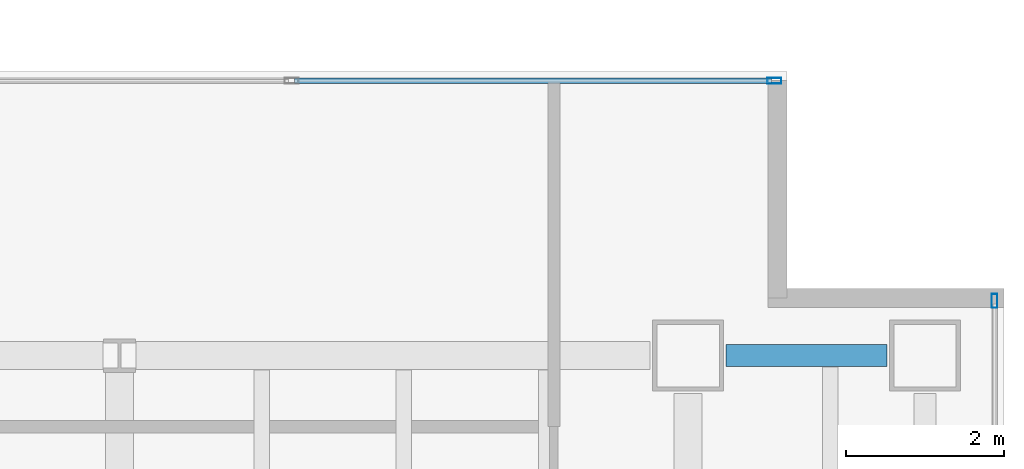
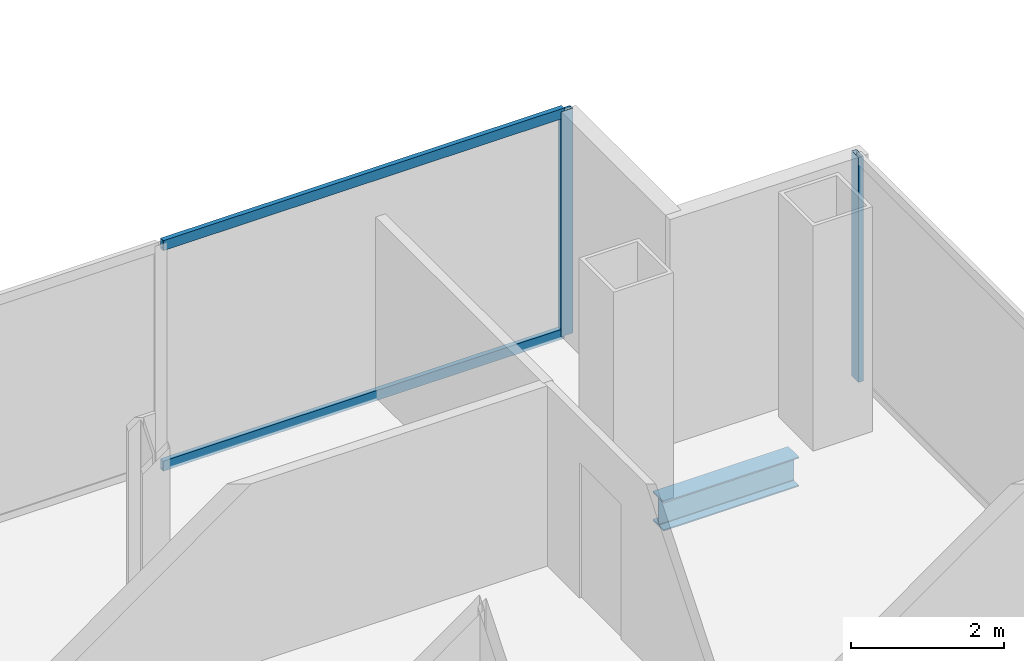
# One storey, part 15 of 23: 4 members, 1 beam, 2 elements without a shape of their own.
"""IFC4 building model written with IfcOpenShell, lengths in metres."""

from ifc_helpers import new_model, si_unit, direction, frame, origin, origin_2d, place, context, subcontext, project, spatial, hollow_rectangle, i_section, extrude, material, material_profile, profile_set, type_object, element, aggregate, save


model = new_model("IFC4")

# Units and contexts
model_context = context("Model", 3, precision=1e-05, world=origin(), true_north=direction((0.0, 1.0)))
body_context = subcontext(model_context, "Body", "Model", "MODEL_VIEW")
ifc_project = project(units=[si_unit("LENGTHUNIT", "METRE"), si_unit("AREAUNIT", "SQUARE_METRE"), si_unit("VOLUMEUNIT", "CUBIC_METRE"), si_unit("PLANEANGLEUNIT", "RADIAN"), si_unit("MASSUNIT", "GRAM", prefix="KILO")], contexts=[model_context])

# Site, building, storey
site_placement = place(None, origin())
site = spatial("IfcSite", under=ifc_project, at=site_placement, CompositionType="ELEMENT")
building_placement = place(site_placement, origin())
building = spatial("IfcBuilding", under=site, at=building_placement, Name="Cobrela Telecom Tower", CompositionType="ELEMENT")
storey_placement = place(building_placement, frame((0.0, 0.0, 117.60009765625)))
storey = spatial("IfcBuildingStorey", under=building, at=storey_placement, Name="L29", CompositionType="ELEMENT", Elevation=117.60009765625)

# Beam
ifc_material_1 = material(Name="Steel ASTM A992 Grade 50", Category="steel")
ifc_material_profile_1 = material_profile(ifc_material_1, i_section(OverallWidth=0.281982421875, OverallDepth=0.467041015625, WebThickness=0.01220703125, FlangeThickness=0.01953125, FilletRadius=0.012939453125, at=origin_2d()), Name="W18X86")
ifc_profile_set_1 = profile_set([ifc_material_profile_1], Name="Steel ASTM A992 Grade 50")
beam_type = type_object("IfcBeamType", Name="BM-SPAND-04", PredefinedType="SPANDREL", material=ifc_profile_set_1)
beam_placement = place(storey_placement, frame((43.679931640625, 21.60009765625, -0.503662109375), z_axis=(1.0, 0.0, 0.0), x_axis=(0.0, 1.0, 0.0)))
element("IfcBeam", 1, at=beam_placement, inside=storey, type_object=beam_type, Name="L29 Perimeter Spandrel X22", PredefinedType="SPANDREL", context=body_context, shape_type="SweptSolid", body=[
    extrude(i_section(OverallWidth=0.281982421875, OverallDepth=0.467041015625, WebThickness=0.01220703125, FlangeThickness=0.01953125, FilletRadius=0.012939453125, at=origin_2d()), origin(), (0.0, 0.0, 1.0), 2.0400390625),
])

# Curtain wall, member
ifc_material_2 = material(Name="Anodized Bronze Aluminium 6063-T6", Category="aluminium")
curtain_wall_type = type_object("IfcCurtainWallType", Name="CW-SYS-TEL", PredefinedType="USERDEFINED", material=ifc_material_2)
curtain_wall_1_placement = place(storey_placement, origin())
curtain_wall_1 = element("IfcCurtainWall", 2, at=curtain_wall_1_placement, inside=storey, type_object=curtain_wall_type, Name="L29 Unitised Bronze Curtain Wall 11", ObjectType="UNITISED CURTAIN WALL", PredefinedType="USERDEFINED")
ifc_material_profile_2 = material_profile(ifc_material_2, hollow_rectangle(XDim=0.074951171875, YDim=0.179931640625, WallThickness=0.00390625, at=origin_2d()), Name="ALU 75x180x4")
ifc_profile_set_2 = profile_set([ifc_material_profile_2], Name="Anodized Bronze Aluminium 6063-T6")
member_type_1 = type_object("IfcMemberType", Name="CW-SYS-TEL-MUL", PredefinedType="MULLION", material=ifc_profile_set_2)
member_1_placement = place(storey_placement, frame((44.29248046875, 25.080078125, 0.0), z_axis=(0.0, 0.0, 1.0), x_axis=(0.0, 1.0, 0.0)))
member_1 = element("IfcMember", 3, at=member_1_placement, type_object=member_type_1, Name="CW-TEL mullion 4", PredefinedType="MULLION", context=body_context, shape_type="SweptSolid", body=[
    extrude(hollow_rectangle(XDim=0.074951171875, YDim=0.179931640625, WallThickness=0.00390625, at=origin_2d()), origin(), (0.0, 0.0, 1.0), 3.579833984375),
])

curtain_wall_2_placement = place(storey_placement, origin())
curtain_wall_2 = element("IfcCurtainWall", 4, at=curtain_wall_2_placement, inside=storey, type_object=curtain_wall_type, Name="L29 Unitised Bronze Curtain Wall 14", ObjectType="UNITISED CURTAIN WALL", PredefinedType="USERDEFINED")
member_2_placement = place(storey_placement, frame((47.080078125, 22.29248046875, 0.0), z_axis=(0.0, 0.0, 1.0), x_axis=(1.0, 0.0, 0.0)))
member_2 = element("IfcMember", 5, at=member_2_placement, type_object=member_type_1, Name="CW-TEL mullion 1", PredefinedType="MULLION", context=body_context, shape_type="SweptSolid", body=[
    extrude(hollow_rectangle(XDim=0.074951171875, YDim=0.179931640625, WallThickness=0.00390625, at=origin_2d()), origin(), (0.0, 0.0, 1.0), 3.579833984375),
])
aggregate(curtain_wall_2, [member_2])

# Member
ifc_material_profile_3 = material_profile(ifc_material_2, hollow_rectangle(XDim=0.070068359375, YDim=0.159912109375, WallThickness=0.00390625, at=origin_2d()), Name="ALU 70x160x4")
ifc_profile_set_3 = profile_set([ifc_material_profile_3], Name="Anodized Bronze Aluminium 6063-T6")
member_type_2 = type_object("IfcMemberType", Name="CW-SYS-TEL-TRN", PredefinedType="USERDEFINED", material=ifc_profile_set_3)
member_3_placement = place(storey_placement, frame((38.217529296875, 25.080078125, 0.034912109375), z_axis=(1.0, 0.0, 0.0), x_axis=(0.0, 1.0, 0.0)))
member_3 = element("IfcMember", 6, at=member_3_placement, type_object=member_type_2, Name="CW-TEL transom 3.1", ObjectType="TRANSOM", PredefinedType="USERDEFINED", context=body_context, shape_type="SweptSolid", body=[
    extrude(hollow_rectangle(XDim=0.070068359375, YDim=0.159912109375, WallThickness=0.00390625, at=origin_2d()), origin(), (0.0, 0.0, 1.0), 6.037353515625),
])

member_4_placement = place(storey_placement, frame((38.217529296875, 25.080078125, 3.544921875), z_axis=(1.0, 0.0, 0.0), x_axis=(0.0, 1.0, 0.0)))
member_4 = element("IfcMember", 7, at=member_4_placement, type_object=member_type_2, Name="CW-TEL transom 3.2", ObjectType="TRANSOM", PredefinedType="USERDEFINED", context=body_context, shape_type="SweptSolid", body=[
    extrude(hollow_rectangle(XDim=0.070068359375, YDim=0.159912109375, WallThickness=0.00390625, at=origin_2d()), origin(), (0.0, 0.0, 1.0), 6.037353515625),
])

aggregate(curtain_wall_1, [member_1, member_3, member_4])

save(model, "model.ifc")
